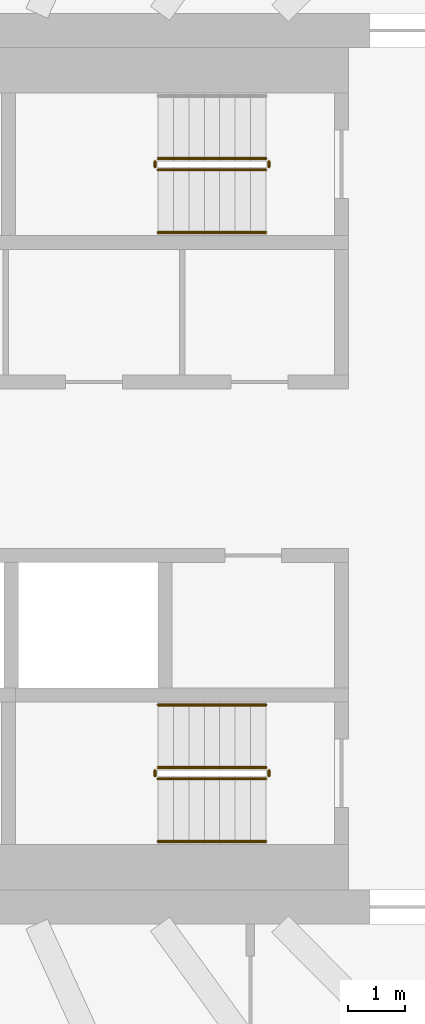
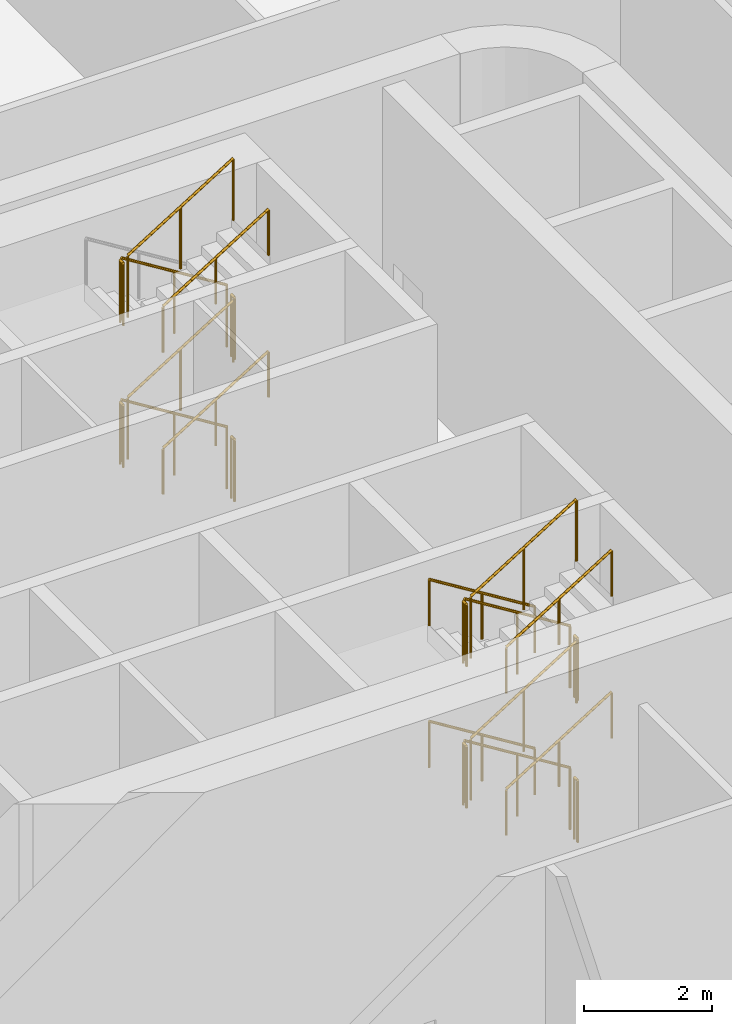
# One storey, part 15 of 18: 22 railings.
"""IFC4 building model written with IfcOpenShell, lengths in metres."""

from ifc_helpers import new_model, si_unit, direction, frame, origin, origin_2d, place, context, subcontext, project, spatial, circle, extrude, material, type_object, element, save


model = new_model("IFC4")

# Units and contexts
model_context = context("Model", 3, precision=1e-05, world=origin(), true_north=direction((0.0, 1.0)))
body_context = subcontext(model_context, "Body", "Model", "MODEL_VIEW")
ifc_project = project(units=[si_unit("LENGTHUNIT", "METRE"), si_unit("AREAUNIT", "SQUARE_METRE"), si_unit("VOLUMEUNIT", "CUBIC_METRE"), si_unit("PLANEANGLEUNIT", "RADIAN"), si_unit("MASSUNIT", "GRAM", prefix="KILO")], contexts=[model_context])

# Site, building, storey
site_placement = place(None, origin())
site = spatial("IfcSite", under=ifc_project, at=site_placement, CompositionType="ELEMENT")
building_placement = place(site_placement, origin())
building = spatial("IfcBuilding", under=site, at=building_placement, Name="Sahrelin Media Tower", CompositionType="ELEMENT")
storey_placement = place(building_placement, frame((0.0, 0.0, 96.60009765625)))
storey = spatial("IfcBuildingStorey", under=building, at=storey_placement, Name="L18", CompositionType="ELEMENT", Elevation=96.60009765625)

# Railings
ifc_material = material(Name="Steel S355", Category="steel")
railing_type_1 = type_object("IfcRailingType", Name="Stair guard 1200", PredefinedType="GUARDRAIL", material=ifc_material)
railing_1_placement = place(storey_placement, frame((7.675048828125, 5.449951171875, 0.168701171875)))
element("IfcRailing", 1, at=railing_1_placement, inside=storey, type_object=railing_type_1, Name="L18 ST3 stair guard 1", PredefinedType="GUARDRAIL", context=body_context, shape_type="SweptSolid", body=[
    extrude(circle(Radius=0.02392578125, at=origin_2d()), frame((0.0, 0.0, 1.17578125), z_axis=(-0.849289292259, 0.0, 0.527927739425), x_axis=(0.0, -1.0, 0.0)), (0.0, 0.0, 1.0), 2.2373046875),
    extrude(circle(Radius=0.02099609375, at=origin_2d()), origin(), (0.0, 0.0, 1.0), 1.15185546875),
    extrude(circle(Radius=0.02099609375, at=origin_2d()), frame((-0.9501953125, 0.0, 0.590576171875)), (0.0, 0.0, 1.0), 1.15185546875),
    extrude(circle(Radius=0.02099609375, at=origin_2d()), frame((-1.900146484375, 0.0, 1.18115234375)), (0.0, 0.0, 1.0), 1.15185546875),
])
railing_2_placement = place(storey_placement, frame((5.72509765625, 5.39990234375, 1.349853515625)))
element("IfcRailing", 2, at=railing_2_placement, inside=storey, type_object=railing_type_1, Name="L18 ST3 stair guard 2", PredefinedType="GUARDRAIL", context=body_context, shape_type="SweptSolid", body=[
    extrude(circle(Radius=0.02392578125, at=origin_2d()), frame((0.0, 0.0, 1.17578125), z_axis=(0.0, -1.0, 0.0), x_axis=(1.0, 0.0, 0.0)), (0.0, 0.0, 1.0), 0.099853515625),
    extrude(circle(Radius=0.02099609375, at=origin_2d()), origin(), (0.0, 0.0, 1.0), 1.15185546875),
    extrude(circle(Radius=0.02099609375, at=origin_2d()), frame((0.0, -0.099853515625, 0.0)), (0.0, 0.0, 1.0), 1.15185546875),
])
railing_3_placement = place(storey_placement, frame((5.77490234375, 5.25, 1.5185546875)))
element("IfcRailing", 3, at=railing_3_placement, inside=storey, type_object=railing_type_1, Name="L18 ST3 stair guard 3", PredefinedType="GUARDRAIL", context=body_context, shape_type="SweptSolid", body=[
    extrude(circle(Radius=0.02392578125, at=origin_2d()), frame((0.0, 0.0, 1.17578125), z_axis=(0.849240365539, 0.0, 0.528006440812), x_axis=(0.0, 1.0, 0.0)), (0.0, 0.0, 1.0), 2.237548828125),
    extrude(circle(Radius=0.02099609375, at=origin_2d()), origin(), (0.0, 0.0, 1.0), 1.15185546875),
    extrude(circle(Radius=0.02099609375, at=origin_2d()), frame((0.9501953125, 0.0, 0.5908203125)), (0.0, 0.0, 1.0), 1.15185546875),
    extrude(circle(Radius=0.02099609375, at=origin_2d()), frame((1.900146484375, 0.0, 1.181396484375)), (0.0, 0.0, 1.0), 1.15185546875),
])
railing_4_placement = place(storey_placement, frame((7.72509765625, 5.39990234375, 2.699951171875)))
element("IfcRailing", 4, at=railing_4_placement, inside=storey, type_object=railing_type_1, Name="L18 ST3 stair guard 4", PredefinedType="GUARDRAIL", context=body_context, shape_type="SweptSolid", body=[
    extrude(circle(Radius=0.02392578125, at=origin_2d()), frame((0.0, 0.0, 1.17578125), z_axis=(0.0, -1.0, 0.0), x_axis=(1.0, 0.0, 0.0)), (0.0, 0.0, 1.0), 0.099853515625),
    extrude(circle(Radius=0.02099609375, at=origin_2d()), origin(), (0.0, 0.0, 1.0), 1.15185546875),
    extrude(circle(Radius=0.02099609375, at=origin_2d()), frame((0.0, -0.099853515625, 0.0)), (0.0, 0.0, 1.0), 1.15185546875),
])
railing_5_placement = place(storey_placement, frame((7.675048828125, 5.449951171875, 2.86865234375)))
element("IfcRailing", 5, at=railing_5_placement, inside=storey, type_object=railing_type_1, Name="L18 ST3 stair guard 5", PredefinedType="GUARDRAIL", context=body_context, shape_type="SweptSolid", body=[
    extrude(circle(Radius=0.02392578125, at=origin_2d()), frame((0.0, 0.0, 1.17578125), z_axis=(-0.849289292259, 0.0, 0.527927739425), x_axis=(0.0, -1.0, 0.0)), (0.0, 0.0, 1.0), 2.2373046875),
    extrude(circle(Radius=0.02099609375, at=origin_2d()), origin(), (0.0, 0.0, 1.0), 1.15185546875),
    extrude(circle(Radius=0.02099609375, at=origin_2d()), frame((-0.9501953125, 0.0, 0.590576171875)), (0.0, 0.0, 1.0), 1.15185546875),
    extrude(circle(Radius=0.02099609375, at=origin_2d()), frame((-1.900146484375, 0.0, 1.18115234375)), (0.0, 0.0, 1.0), 1.15185546875),
])
railing_6_placement = place(storey_placement, frame((5.72509765625, 5.39990234375, 4.0498046875)))
element("IfcRailing", 6, at=railing_6_placement, inside=storey, type_object=railing_type_1, Name="L18 ST3 stair guard 6", PredefinedType="GUARDRAIL", context=body_context, shape_type="SweptSolid", body=[
    extrude(circle(Radius=0.02392578125, at=origin_2d()), frame((0.0, 0.0, 1.17578125), z_axis=(0.0, -1.0, 0.0), x_axis=(1.0, 0.0, 0.0)), (0.0, 0.0, 1.0), 0.099853515625),
    extrude(circle(Radius=0.02099609375, at=origin_2d()), origin(), (0.0, 0.0, 1.0), 1.15185546875),
    extrude(circle(Radius=0.02099609375, at=origin_2d()), frame((0.0, -0.099853515625, 0.0)), (0.0, 0.0, 1.0), 1.15185546875),
])
railing_7_placement = place(storey_placement, frame((5.77490234375, 5.25, 4.21875)))
element("IfcRailing", 7, at=railing_7_placement, inside=storey, type_object=railing_type_1, Name="L18 ST3 stair guard 7", PredefinedType="GUARDRAIL", context=body_context, shape_type="SweptSolid", body=[
    extrude(circle(Radius=0.02392578125, at=origin_2d()), frame((0.0, 0.0, 1.17578125), z_axis=(0.849289292259, 0.0, 0.527927739425), x_axis=(0.0, 1.0, 0.0)), (0.0, 0.0, 1.0), 2.2373046875),
    extrude(circle(Radius=0.02099609375, at=origin_2d()), origin(), (0.0, 0.0, 1.0), 1.15185546875),
    extrude(circle(Radius=0.02099609375, at=origin_2d()), frame((0.9501953125, 0.0, 0.590576171875)), (0.0, 0.0, 1.0), 1.15185546875),
    extrude(circle(Radius=0.02099609375, at=origin_2d()), frame((1.900146484375, 0.0, 1.18115234375)), (0.0, 0.0, 1.0), 1.15185546875),
])
railing_8_placement = place(storey_placement, frame((7.72509765625, 5.39990234375, 0.0)))
element("IfcRailing", 8, at=railing_8_placement, inside=storey, type_object=railing_type_1, Name="L18 ST3 stair guard 8", PredefinedType="GUARDRAIL", context=body_context, shape_type="SweptSolid", body=[
    extrude(circle(Radius=0.02392578125, at=origin_2d()), frame((0.0, 0.0, 1.17578125), z_axis=(0.0, -1.0, 0.0), x_axis=(1.0, 0.0, 0.0)), (0.0, 0.0, 1.0), 0.099853515625),
    extrude(circle(Radius=0.02099609375, at=origin_2d()), origin(), (0.0, 0.0, 1.0), 1.15185546875),
    extrude(circle(Radius=0.02099609375, at=origin_2d()), frame((0.0, -0.099853515625, 0.0)), (0.0, 0.0, 1.0), 1.15185546875),
])
railing_9_placement = place(storey_placement, frame((7.675048828125, -5.25, 0.168701171875)))
element("IfcRailing", 9, at=railing_9_placement, inside=storey, type_object=railing_type_1, Name="L18 ST2 stair guard 1", PredefinedType="GUARDRAIL", context=body_context, shape_type="SweptSolid", body=[
    extrude(circle(Radius=0.02392578125, at=origin_2d()), frame((0.0, 0.0, 1.17578125), z_axis=(-0.849289292259, 0.0, 0.527927739425), x_axis=(0.0, -1.0, 0.0)), (0.0, 0.0, 1.0), 2.2373046875),
    extrude(circle(Radius=0.02099609375, at=origin_2d()), origin(), (0.0, 0.0, 1.0), 1.15185546875),
    extrude(circle(Radius=0.02099609375, at=origin_2d()), frame((-0.9501953125, 0.0, 0.590576171875)), (0.0, 0.0, 1.0), 1.15185546875),
    extrude(circle(Radius=0.02099609375, at=origin_2d()), frame((-1.900146484375, 0.0, 1.18115234375)), (0.0, 0.0, 1.0), 1.15185546875),
])
railing_10_placement = place(storey_placement, frame((5.72509765625, -5.300048828125, 1.349853515625)))
element("IfcRailing", 10, at=railing_10_placement, inside=storey, type_object=railing_type_1, Name="L18 ST2 stair guard 2", PredefinedType="GUARDRAIL", context=body_context, shape_type="SweptSolid", body=[
    extrude(circle(Radius=0.02392578125, at=origin_2d()), frame((0.0, 0.0, 1.17578125), z_axis=(0.0, -1.0, 0.0), x_axis=(1.0, 0.0, 0.0)), (0.0, 0.0, 1.0), 0.099853515625),
    extrude(circle(Radius=0.02099609375, at=origin_2d()), origin(), (0.0, 0.0, 1.0), 1.15185546875),
    extrude(circle(Radius=0.02099609375, at=origin_2d()), frame((0.0, -0.099853515625, 0.0)), (0.0, 0.0, 1.0), 1.15185546875),
])
railing_11_placement = place(storey_placement, frame((5.77490234375, -5.449951171875, 1.5185546875)))
element("IfcRailing", 11, at=railing_11_placement, inside=storey, type_object=railing_type_1, Name="L18 ST2 stair guard 3", PredefinedType="GUARDRAIL", context=body_context, shape_type="SweptSolid", body=[
    extrude(circle(Radius=0.02392578125, at=origin_2d()), frame((0.0, 0.0, 1.17578125), z_axis=(0.849240365539, 0.0, 0.528006440812), x_axis=(0.0, 1.0, 0.0)), (0.0, 0.0, 1.0), 2.237548828125),
    extrude(circle(Radius=0.02099609375, at=origin_2d()), origin(), (0.0, 0.0, 1.0), 1.15185546875),
    extrude(circle(Radius=0.02099609375, at=origin_2d()), frame((0.9501953125, 0.0, 0.5908203125)), (0.0, 0.0, 1.0), 1.15185546875),
    extrude(circle(Radius=0.02099609375, at=origin_2d()), frame((1.900146484375, 0.0, 1.181396484375)), (0.0, 0.0, 1.0), 1.15185546875),
])
railing_12_placement = place(storey_placement, frame((7.72509765625, -5.300048828125, 2.699951171875)))
element("IfcRailing", 12, at=railing_12_placement, inside=storey, type_object=railing_type_1, Name="L18 ST2 stair guard 4", PredefinedType="GUARDRAIL", context=body_context, shape_type="SweptSolid", body=[
    extrude(circle(Radius=0.02392578125, at=origin_2d()), frame((0.0, 0.0, 1.17578125), z_axis=(0.0, -1.0, 0.0), x_axis=(1.0, 0.0, 0.0)), (0.0, 0.0, 1.0), 0.099853515625),
    extrude(circle(Radius=0.02099609375, at=origin_2d()), origin(), (0.0, 0.0, 1.0), 1.15185546875),
    extrude(circle(Radius=0.02099609375, at=origin_2d()), frame((0.0, -0.099853515625, 0.0)), (0.0, 0.0, 1.0), 1.15185546875),
])
railing_13_placement = place(storey_placement, frame((7.675048828125, -5.25, 2.86865234375)))
element("IfcRailing", 13, at=railing_13_placement, inside=storey, type_object=railing_type_1, Name="L18 ST2 stair guard 5", PredefinedType="GUARDRAIL", context=body_context, shape_type="SweptSolid", body=[
    extrude(circle(Radius=0.02392578125, at=origin_2d()), frame((0.0, 0.0, 1.17578125), z_axis=(-0.849289292259, 0.0, 0.527927739425), x_axis=(0.0, -1.0, 0.0)), (0.0, 0.0, 1.0), 2.2373046875),
    extrude(circle(Radius=0.02099609375, at=origin_2d()), origin(), (0.0, 0.0, 1.0), 1.15185546875),
    extrude(circle(Radius=0.02099609375, at=origin_2d()), frame((-0.9501953125, 0.0, 0.590576171875)), (0.0, 0.0, 1.0), 1.15185546875),
    extrude(circle(Radius=0.02099609375, at=origin_2d()), frame((-1.900146484375, 0.0, 1.18115234375)), (0.0, 0.0, 1.0), 1.15185546875),
])
railing_14_placement = place(storey_placement, frame((5.72509765625, -5.300048828125, 4.0498046875)))
element("IfcRailing", 14, at=railing_14_placement, inside=storey, type_object=railing_type_1, Name="L18 ST2 stair guard 6", PredefinedType="GUARDRAIL", context=body_context, shape_type="SweptSolid", body=[
    extrude(circle(Radius=0.02392578125, at=origin_2d()), frame((0.0, 0.0, 1.17578125), z_axis=(0.0, -1.0, 0.0), x_axis=(1.0, 0.0, 0.0)), (0.0, 0.0, 1.0), 0.099853515625),
    extrude(circle(Radius=0.02099609375, at=origin_2d()), origin(), (0.0, 0.0, 1.0), 1.15185546875),
    extrude(circle(Radius=0.02099609375, at=origin_2d()), frame((0.0, -0.099853515625, 0.0)), (0.0, 0.0, 1.0), 1.15185546875),
])
railing_15_placement = place(storey_placement, frame((5.77490234375, -5.449951171875, 4.21875)))
element("IfcRailing", 15, at=railing_15_placement, inside=storey, type_object=railing_type_1, Name="L18 ST2 stair guard 7", PredefinedType="GUARDRAIL", context=body_context, shape_type="SweptSolid", body=[
    extrude(circle(Radius=0.02392578125, at=origin_2d()), frame((0.0, 0.0, 1.17578125), z_axis=(0.849289292259, 0.0, 0.527927739425), x_axis=(0.0, 1.0, 0.0)), (0.0, 0.0, 1.0), 2.2373046875),
    extrude(circle(Radius=0.02099609375, at=origin_2d()), origin(), (0.0, 0.0, 1.0), 1.15185546875),
    extrude(circle(Radius=0.02099609375, at=origin_2d()), frame((0.9501953125, 0.0, 0.590576171875)), (0.0, 0.0, 1.0), 1.15185546875),
    extrude(circle(Radius=0.02099609375, at=origin_2d()), frame((1.900146484375, 0.0, 1.18115234375)), (0.0, 0.0, 1.0), 1.15185546875),
])
railing_16_placement = place(storey_placement, frame((7.72509765625, -5.300048828125, 0.0)))
element("IfcRailing", 16, at=railing_16_placement, inside=storey, type_object=railing_type_1, Name="L18 ST2 stair guard 8", PredefinedType="GUARDRAIL", context=body_context, shape_type="SweptSolid", body=[
    extrude(circle(Radius=0.02392578125, at=origin_2d()), frame((0.0, 0.0, 1.17578125), z_axis=(0.0, -1.0, 0.0), x_axis=(1.0, 0.0, 0.0)), (0.0, 0.0, 1.0), 0.099853515625),
    extrude(circle(Radius=0.02099609375, at=origin_2d()), origin(), (0.0, 0.0, 1.0), 1.15185546875),
    extrude(circle(Radius=0.02099609375, at=origin_2d()), frame((0.0, -0.099853515625, 0.0)), (0.0, 0.0, 1.0), 1.15185546875),
])
railing_type_2 = type_object("IfcRailingType", Name="Stair handrail 900", PredefinedType="HANDRAIL", material=ifc_material)
railing_17_placement = place(storey_placement, frame((5.77490234375, 4.14990234375, 1.5185546875)))
element("IfcRailing", 17, at=railing_17_placement, inside=storey, type_object=railing_type_2, Name="L18 ST3 stair handrail 2", PredefinedType="HANDRAIL", context=body_context, shape_type="SweptSolid", body=[
    extrude(circle(Radius=0.02392578125, at=origin_2d()), frame((0.0, 0.0, 0.8759765625), z_axis=(0.849240365539, 0.0, 0.528006440812), x_axis=(0.0, 1.0, 0.0)), (0.0, 0.0, 1.0), 2.237548828125),
    extrude(circle(Radius=0.02099609375, at=origin_2d()), origin(), (0.0, 0.0, 1.0), 0.851806640625),
    extrude(circle(Radius=0.02099609375, at=origin_2d()), frame((0.9501953125, 0.0, 0.5908203125)), (0.0, 0.0, 1.0), 0.851806640625),
    extrude(circle(Radius=0.02099609375, at=origin_2d()), frame((1.900146484375, 0.0, 1.181396484375)), (0.0, 0.0, 1.0), 0.851806640625),
])
railing_18_placement = place(storey_placement, frame((5.77490234375, 4.14990234375, 4.21875)))
element("IfcRailing", 18, at=railing_18_placement, inside=storey, type_object=railing_type_2, Name="L18 ST3 stair handrail 4", PredefinedType="HANDRAIL", context=body_context, shape_type="SweptSolid", body=[
    extrude(circle(Radius=0.02392578125, at=origin_2d()), frame((0.0, 0.0, 0.8759765625), z_axis=(0.849289292259, 0.0, 0.527927739425), x_axis=(0.0, 1.0, 0.0)), (0.0, 0.0, 1.0), 2.2373046875),
    extrude(circle(Radius=0.02099609375, at=origin_2d()), origin(), (0.0, 0.0, 1.0), 0.851806640625),
    extrude(circle(Radius=0.02099609375, at=origin_2d()), frame((0.9501953125, 0.0, 0.590576171875)), (0.0, 0.0, 1.0), 0.851806640625),
    extrude(circle(Radius=0.02099609375, at=origin_2d()), frame((1.900146484375, 0.0, 1.18115234375)), (0.0, 0.0, 1.0), 0.851806640625),
])
railing_19_placement = place(storey_placement, frame((7.675048828125, -4.14990234375, 0.168701171875)))
element("IfcRailing", 19, at=railing_19_placement, inside=storey, type_object=railing_type_2, Name="L18 ST2 stair handrail 1", PredefinedType="HANDRAIL", context=body_context, shape_type="SweptSolid", body=[
    extrude(circle(Radius=0.02392578125, at=origin_2d()), frame((0.0, 0.0, 0.8759765625), z_axis=(-0.849289292259, 0.0, 0.527927739425), x_axis=(0.0, -1.0, 0.0)), (0.0, 0.0, 1.0), 2.2373046875),
    extrude(circle(Radius=0.02099609375, at=origin_2d()), origin(), (0.0, 0.0, 1.0), 0.851806640625),
    extrude(circle(Radius=0.02099609375, at=origin_2d()), frame((-0.9501953125, 0.0, 0.590576171875)), (0.0, 0.0, 1.0), 0.851806640625),
    extrude(circle(Radius=0.02099609375, at=origin_2d()), frame((-1.900146484375, 0.0, 1.18115234375)), (0.0, 0.0, 1.0), 0.851806640625),
])
railing_20_placement = place(storey_placement, frame((5.77490234375, -6.550048828125, 1.5185546875)))
element("IfcRailing", 20, at=railing_20_placement, inside=storey, type_object=railing_type_2, Name="L18 ST2 stair handrail 2", PredefinedType="HANDRAIL", context=body_context, shape_type="SweptSolid", body=[
    extrude(circle(Radius=0.02392578125, at=origin_2d()), frame((0.0, 0.0, 0.8759765625), z_axis=(0.849240365539, 0.0, 0.528006440812), x_axis=(0.0, 1.0, 0.0)), (0.0, 0.0, 1.0), 2.237548828125),
    extrude(circle(Radius=0.02099609375, at=origin_2d()), origin(), (0.0, 0.0, 1.0), 0.851806640625),
    extrude(circle(Radius=0.02099609375, at=origin_2d()), frame((0.9501953125, 0.0, 0.5908203125)), (0.0, 0.0, 1.0), 0.851806640625),
    extrude(circle(Radius=0.02099609375, at=origin_2d()), frame((1.900146484375, 0.0, 1.181396484375)), (0.0, 0.0, 1.0), 0.851806640625),
])
railing_21_placement = place(storey_placement, frame((7.675048828125, -4.14990234375, 2.86865234375)))
element("IfcRailing", 21, at=railing_21_placement, inside=storey, type_object=railing_type_2, Name="L18 ST2 stair handrail 3", PredefinedType="HANDRAIL", context=body_context, shape_type="SweptSolid", body=[
    extrude(circle(Radius=0.02392578125, at=origin_2d()), frame((0.0, 0.0, 0.8759765625), z_axis=(-0.849289292259, 0.0, 0.527927739425), x_axis=(0.0, -1.0, 0.0)), (0.0, 0.0, 1.0), 2.2373046875),
    extrude(circle(Radius=0.02099609375, at=origin_2d()), origin(), (0.0, 0.0, 1.0), 0.851806640625),
    extrude(circle(Radius=0.02099609375, at=origin_2d()), frame((-0.9501953125, 0.0, 0.590576171875)), (0.0, 0.0, 1.0), 0.851806640625),
    extrude(circle(Radius=0.02099609375, at=origin_2d()), frame((-1.900146484375, 0.0, 1.18115234375)), (0.0, 0.0, 1.0), 0.851806640625),
])
railing_22_placement = place(storey_placement, frame((5.77490234375, -6.550048828125, 4.21875)))
element("IfcRailing", 22, at=railing_22_placement, inside=storey, type_object=railing_type_2, Name="L18 ST2 stair handrail 4", PredefinedType="HANDRAIL", context=body_context, shape_type="SweptSolid", body=[
    extrude(circle(Radius=0.02392578125, at=origin_2d()), frame((0.0, 0.0, 0.8759765625), z_axis=(0.849289292259, 0.0, 0.527927739425), x_axis=(0.0, 1.0, 0.0)), (0.0, 0.0, 1.0), 2.2373046875),
    extrude(circle(Radius=0.02099609375, at=origin_2d()), origin(), (0.0, 0.0, 1.0), 0.851806640625),
    extrude(circle(Radius=0.02099609375, at=origin_2d()), frame((0.9501953125, 0.0, 0.590576171875)), (0.0, 0.0, 1.0), 0.851806640625),
    extrude(circle(Radius=0.02099609375, at=origin_2d()), frame((1.900146484375, 0.0, 1.18115234375)), (0.0, 0.0, 1.0), 0.851806640625),
])

save(model, "model.ifc")
